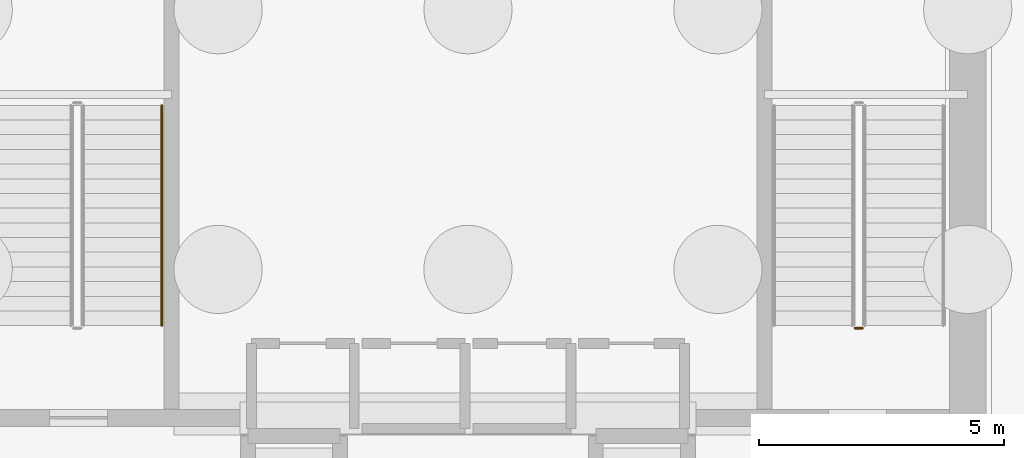
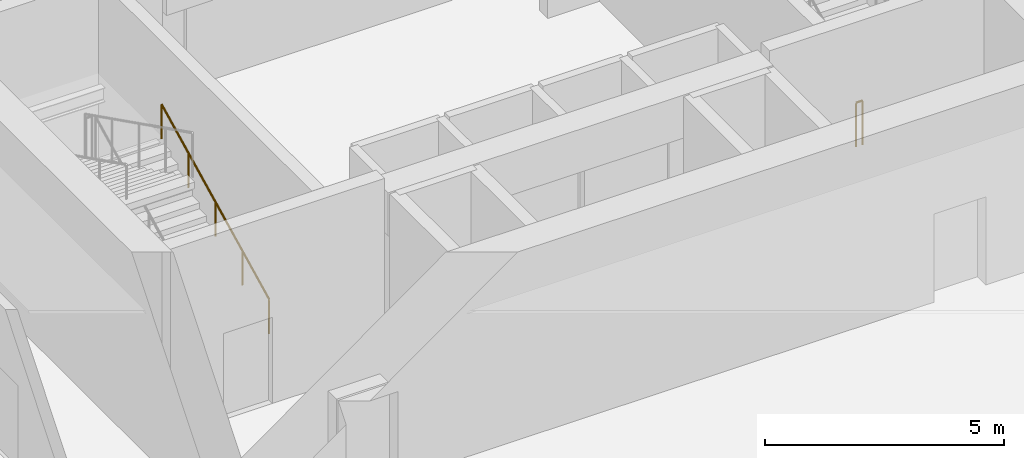
# One storey, part 8 of 11: 2 railings.
"""IFC4 building model written with IfcOpenShell, lengths in metres."""

from ifc_helpers import new_model, si_unit, direction, frame, origin, origin_2d, place, context, subcontext, project, spatial, circle, extrude, material, type_object, element, save


model = new_model("IFC4")

# Units and contexts
model_context = context("Model", 3, precision=1e-05, world=origin(), true_north=direction((0.0, 1.0)))
body_context = subcontext(model_context, "Body", "Model", "MODEL_VIEW")
ifc_project = project(units=[si_unit("LENGTHUNIT", "METRE"), si_unit("AREAUNIT", "SQUARE_METRE"), si_unit("VOLUMEUNIT", "CUBIC_METRE"), si_unit("PLANEANGLEUNIT", "RADIAN"), si_unit("MASSUNIT", "GRAM", prefix="KILO")], contexts=[model_context])

# Site, building, storey
site_placement = place(None, origin())
site = spatial("IfcSite", under=ifc_project, at=site_placement, CompositionType="ELEMENT")
building_placement = place(site_placement, origin())
building = spatial("IfcBuilding", under=site, at=building_placement, Name="Punatoya Terracotta Tower", CompositionType="ELEMENT")
storey_placement = place(building_placement, frame((0.0, 0.0, -9.60009765625)))
storey = spatial("IfcBuildingStorey", under=building, at=storey_placement, Name="B2", CompositionType="ELEMENT", Elevation=-9.60009765625)

# Railings
ifc_material = material(Name="Steel S355", Category="steel")
railing_type_1 = type_object("IfcRailingType", Name="RLG-GRD-1150", PredefinedType="GUARDRAIL", material=ifc_material)
railing_1_placement = place(storey_placement, frame((8.050048828125, -3.85009765625, 0.0)))
element("IfcRailing", 1, at=railing_1_placement, inside=storey, type_object=railing_type_1, Name="B2 ST-2 stair guard 4", PredefinedType="GUARDRAIL", context=body_context, shape_type="SweptSolid", body=[
    extrude(circle(Radius=0.02392578125, at=origin_2d()), frame((0.0, 0.0, 1.1259765625), z_axis=(-1.0, 0.0, 0.0), x_axis=(0.0, -1.0, 0.0)), (0.0, 0.0, 1.0), 0.150146484375),
    extrude(circle(Radius=0.02099609375, at=origin_2d()), origin(), (0.0, 0.0, 1.0), 1.101806640625),
    extrude(circle(Radius=0.02099609375, at=origin_2d()), frame((-0.150146484375, 0.0, 0.0)), (0.0, 0.0, 1.0), 1.101806640625),
])
railing_type_2 = type_object("IfcRailingType", Name="RLG-HND-900", PredefinedType="HANDRAIL", material=ifc_material)
railing_2_placement = place(storey_placement, frame((-6.25, -3.800048828125, 0.150146484375)))
element("IfcRailing", 2, at=railing_2_placement, inside=storey, type_object=railing_type_2, Name="B2 ST-1 stair handrail 1", PredefinedType="HANDRAIL", context=body_context, shape_type="SweptSolid", body=[
    extrude(circle(Radius=0.02392578125, at=origin_2d()), frame((0.0, 0.0, 0.8759765625), z_axis=(0.0, 0.894427191, 0.4472135955), x_axis=(-1.0, 0.0, 0.0)), (0.0, 0.0, 1.0), 5.03125),
    extrude(circle(Radius=0.02099609375, at=origin_2d()), origin(), (0.0, 0.0, 1.0), 0.851806640625),
    extrude(circle(Radius=0.02099609375, at=origin_2d()), frame((0.0, 1.125, 0.5625)), (0.0, 0.0, 1.0), 0.851806640625),
    extrude(circle(Radius=0.02099609375, at=origin_2d()), frame((0.0, 2.25, 1.125)), (0.0, 0.0, 1.0), 0.851806640625),
    extrude(circle(Radius=0.02099609375, at=origin_2d()), frame((0.0, 3.375, 1.6875)), (0.0, 0.0, 1.0), 0.851806640625),
    extrude(circle(Radius=0.02099609375, at=origin_2d()), frame((0.0, 4.5, 2.25)), (0.0, 0.0, 1.0), 0.851806640625),
])

save(model, "model.ifc")
